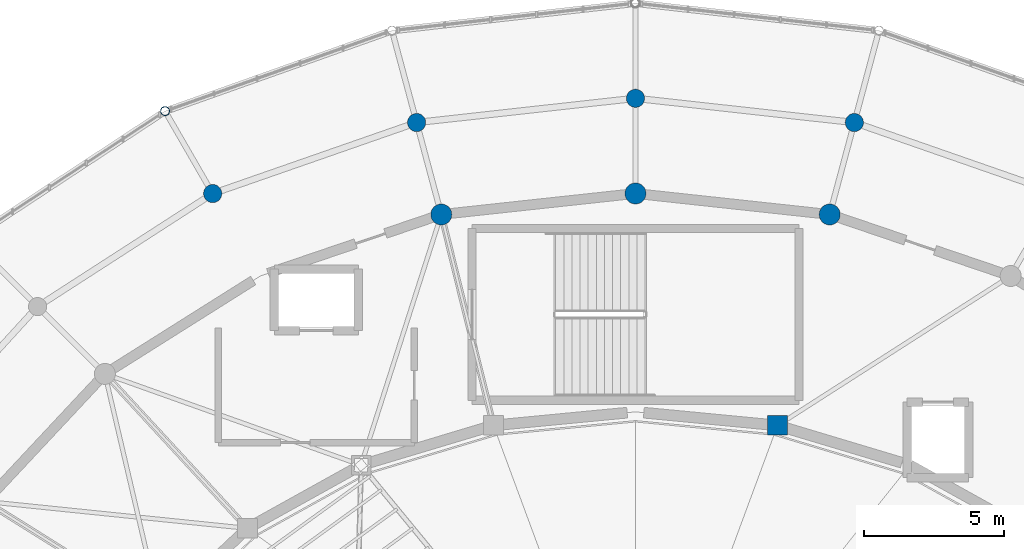
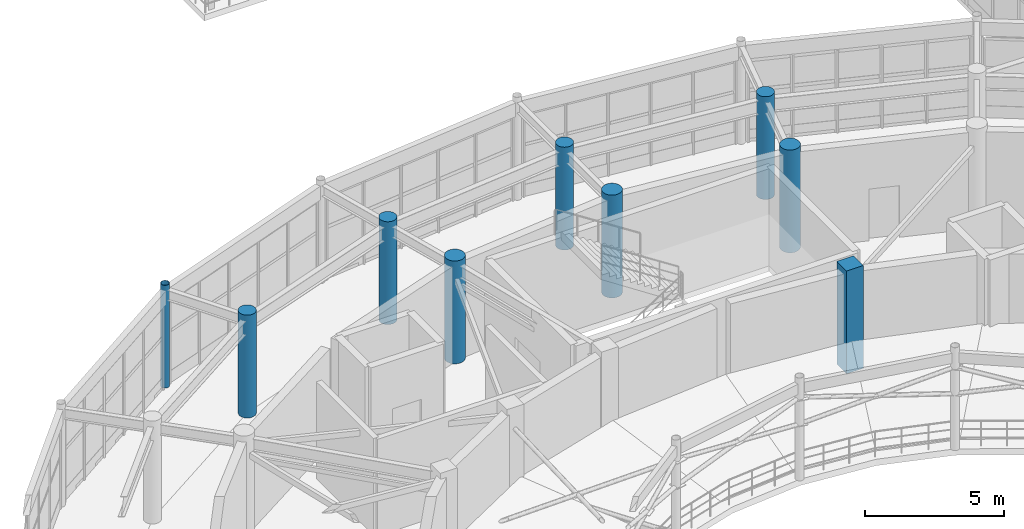
# One storey, part 10 of 112: 9 columns.
"""IFC4 building model written with IfcOpenShell, lengths in metres."""

from ifc_helpers import new_model, si_unit, direction, frame, origin, origin_2d, place, context, subcontext, project, spatial, rectangle, circle, hollow_circle, extrude, material, material_profile, profile_set, type_object, element, save


model = new_model("IFC4")

# Units and contexts
model_context = context("Model", 3, precision=1e-05, world=origin(), true_north=direction((0.0, 1.0)))
body_context = subcontext(model_context, "Body", "Model", "MODEL_VIEW")
ifc_project = project(units=[si_unit("LENGTHUNIT", "METRE"), si_unit("AREAUNIT", "SQUARE_METRE"), si_unit("VOLUMEUNIT", "CUBIC_METRE"), si_unit("PLANEANGLEUNIT", "RADIAN"), si_unit("MASSUNIT", "GRAM", prefix="KILO")], contexts=[model_context])

# Site, building, storey
site_placement = place(None, origin())
site = spatial("IfcSite", under=ifc_project, at=site_placement, CompositionType="ELEMENT")
building_placement = place(site_placement, origin())
building = spatial("IfcBuilding", under=site, at=building_placement, Name="Cinderbank Siding Concert Hall", CompositionType="ELEMENT")
storey_placement = place(building_placement, frame((0.0, 0.0, 10.199951171875)))
storey = spatial("IfcBuildingStorey", under=building, at=storey_placement, Name="L03", CompositionType="ELEMENT", Elevation=10.199951171875)

# Columns
ifc_material_1 = material(Name="Structural steel hollow section AS/NZS 1163 Grade C350L0 (350 MPa)", Category="steel")
ifc_material_profile_1 = material_profile(ifc_material_1, hollow_circle(Radius=0.161865234375, WallThickness=0.0126953125, at=origin_2d()), Name="323.9x12.7CHS", Category="LoadBearing")
ifc_profile_set_1 = profile_set([ifc_material_profile_1], Name="Structural steel hollow section AS/NZS 1163 Grade C350L0 (350 MPa)")
column_type_1 = type_object("IfcColumnType", Name="C-CHS323 323.9x12.7CHS", PredefinedType="COLUMN", material=ifc_profile_set_1)
column_1_placement = place(storey_placement, frame((105.199951171875, 68.94189453125, 0.0), z_axis=(0.0, 0.0, 1.0), x_axis=(1.0, 0.0, 0.0)))
element("IfcColumn", 1, at=column_1_placement, inside=storey, type_object=column_type_1, Name="L03 Column COL-E4-09", PredefinedType="COLUMN", context=body_context, shape_type="SweptSolid", body=[
    extrude(hollow_circle(Radius=0.161865234375, WallThickness=0.0126953125, at=origin_2d()), origin(), (0.0, 0.0, 1.0), 4.5),
])
ifc_material_2 = material(Name="Reinforced concrete AS 3600 N50 (50 MPa)", Category="concrete")
ifc_material_profile_2 = material_profile(ifc_material_2, rectangle(XDim=0.699951171875, YDim=0.699951171875, at=origin_2d()), Name="RC-COL-700x700", Category="LoadBearing")
ifc_profile_set_2 = profile_set([ifc_material_profile_2], Name="Reinforced concrete AS 3600 N50 (50 MPa)")
column_type_2 = type_object("IfcColumnType", Name="C-RC700 RC-COL-700x700", PredefinedType="COLUMN", material=ifc_profile_set_2)
column_2_placement = place(storey_placement, frame((127.072998046875, 57.716064453125, 0.0), z_axis=(0.0, 0.0, 1.0), x_axis=(1.0, 0.0, 0.0)))
element("IfcColumn", 2, at=column_2_placement, inside=storey, type_object=column_type_2, Name="L03 Column COL-E1-06", PredefinedType="COLUMN", context=body_context, shape_type="SweptSolid", body=[
    extrude(rectangle(XDim=0.699951171875, YDim=0.699951171875, at=origin_2d()), origin(), (0.0, 0.0, 1.0), 4.5),
])
ifc_material_profile_3 = material_profile(ifc_material_2, circle(Radius=0.324951171875, at=origin_2d()), Name="RC-COL-650DIA", Category="LoadBearing")
ifc_profile_set_3 = profile_set([ifc_material_profile_3], Name="Reinforced concrete AS 3600 N50 (50 MPa)")
column_type_3 = type_object("IfcColumnType", Name="C-RCD650 RC-COL-650DIA", PredefinedType="COLUMN", material=ifc_profile_set_3)
for number, where, z_axis, x_axis, name in (
    (3, (129.81591796875, 68.533935546875, 0.0), (0.0, 0.0, 1.0), (1.0, 0.0, 0.0), "L03 Column COL-E3-06"),
    (4, (122.0, 69.39990234375, 0.0), (0.0, 0.0, 1.0), (1.0, 0.0, 0.0), "L03 Column COL-E3-07"),
    (5, (114.18408203125, 68.533935546875, 0.0), (0.0, 0.0, 1.0), (1.0, 0.0, 0.0), "L03 Column COL-E3-08"),
    (6, (106.89990234375, 65.9970703125, 0.0), (0.0, 0.0, 1.0), (1.0, 0.0, 0.0), "L03 Column COL-E3-09"),
):
    element("IfcColumn", number, at=place(storey_placement, frame(where, z_axis=z_axis, x_axis=x_axis)), inside=storey, type_object=column_type_3, Name=name, PredefinedType="COLUMN", context=body_context, shape_type="SweptSolid", body=[
        extrude(circle(Radius=0.324951171875, at=origin_2d()), origin(), (0.0, 0.0, 1.0), 4.5),
    ])
ifc_material_profile_4 = material_profile(ifc_material_2, circle(Radius=0.375, at=origin_2d()), Name="RC-COL-750DIA", Category="LoadBearing")
ifc_profile_set_4 = profile_set([ifc_material_profile_4], Name="Reinforced concrete AS 3600 N50 (50 MPa)")
column_type_4 = type_object("IfcColumnType", Name="C-RCD750 RC-COL-750DIA", PredefinedType="COLUMN", material=ifc_profile_set_4)
for number, where, z_axis, x_axis, name in (
    (7, (128.93603515625, 65.25, 0.0), (0.0, 0.0, 1.0), (1.0, 0.0, 0.0), "L03 Column COL-E2-06"),
    (8, (122.0, 66.0, 0.0), (0.0, 0.0, 1.0), (1.0, 0.0, 0.0), "L03 Column COL-E2-07"),
    (9, (115.06396484375, 65.25, 0.0), (0.0, 0.0, 1.0), (1.0, 0.0, 0.0), "L03 Column COL-E2-08"),
):
    element("IfcColumn", number, at=place(storey_placement, frame(where, z_axis=z_axis, x_axis=x_axis)), inside=storey, type_object=column_type_4, Name=name, PredefinedType="COLUMN", context=body_context, shape_type="SweptSolid", body=[
        extrude(circle(Radius=0.375, at=origin_2d()), origin(), (0.0, 0.0, 1.0), 4.5),
    ])

save(model, "model.ifc")
